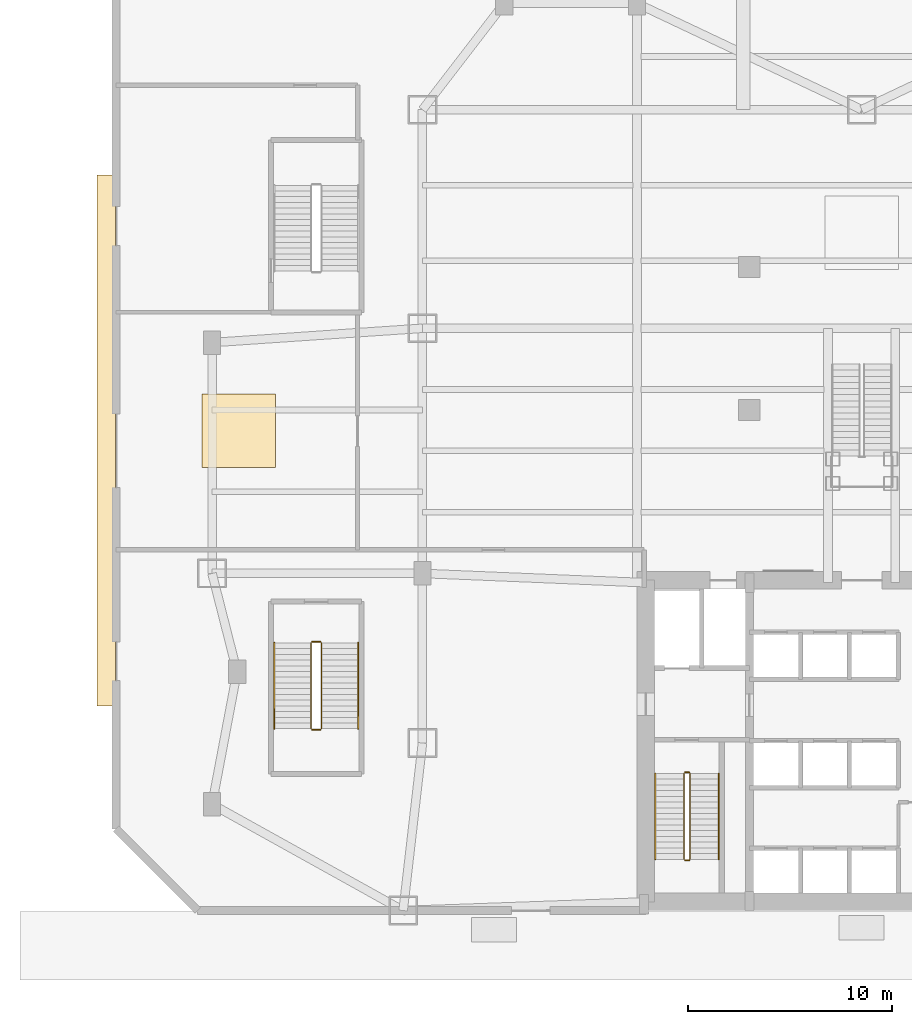
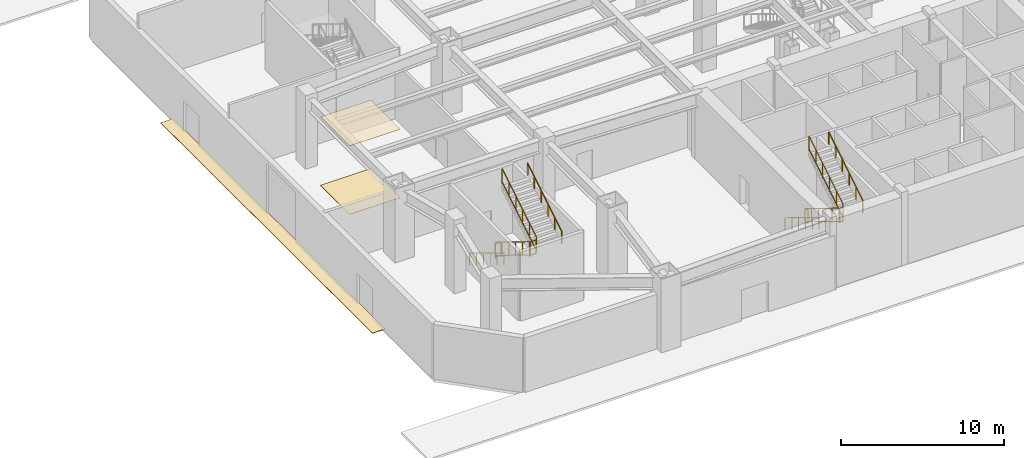
# One storey, part 9 of 11: 12 railings, 3 coverings.
"""IFC4 building model written with IfcOpenShell, lengths in metres."""

from ifc_helpers import new_model, si_unit, direction, frame, origin, origin_2d, place, context, subcontext, project, spatial, rectangle, extrude, source, transform, mapped, material, layer, layer_set, type_object, type_shapes, element, save


model = new_model("IFC4")

# Units and contexts
model_context = context("Model", 3, precision=1e-05, world=origin(), true_north=direction((0.0, 1.0)))
body_context = subcontext(model_context, "Body", "Model", "MODEL_VIEW")
ifc_project = project(units=[si_unit("LENGTHUNIT", "METRE"), si_unit("AREAUNIT", "SQUARE_METRE"), si_unit("VOLUMEUNIT", "CUBIC_METRE"), si_unit("PLANEANGLEUNIT", "RADIAN"), si_unit("MASSUNIT", "GRAM", prefix="KILO")], contexts=[model_context])

# Site, building, storey
site_placement = place(None, origin())
site = spatial("IfcSite", under=ifc_project, at=site_placement, CompositionType="ELEMENT")
building_placement = place(site_placement, origin())
building = spatial("IfcBuilding", under=site, at=building_placement, Name="Varnakhor Terracotta Tower", CompositionType="ELEMENT")
storey_placement = place(building_placement, origin())
storey = spatial("IfcBuildingStorey", under=building, at=storey_placement, Name="L00", CompositionType="ELEMENT", Elevation=0.0)

# Railings
ifc_material_1 = material(Name="Painted Steel Stairwell Guardrail", Category="steel")
railing_type_1 = type_object("IfcRailingType", Name="RLG-STAIR-GUARD-1120", PredefinedType="GUARDRAIL", material=ifc_material_1)
railing_1_placement = place(storey_placement, frame((-8.699951171875, 6.7099609375, 0.171875)))
element("IfcRailing", 1, at=railing_1_placement, inside=storey, type_object=railing_type_1, Name="L00 ST-1 stair guard 1", PredefinedType="GUARDRAIL", context=body_context, shape_type="SweptSolid", body=[
    extrude(rectangle(XDim=0.048095703125, YDim=0.048095703125, at=origin_2d()), frame((0.0, 0.0, 1.09619140625), z_axis=(0.0, -0.852242915053, 0.523146264196), x_axis=(1.0, 0.0, 0.0)), (0.0, 0.0, 1.0), 4.92822265625),
    extrude(rectangle(XDim=0.048095703125, YDim=0.048095703125, at=origin_2d()), frame((0.0, 0.0, 0.10009765625), z_axis=(0.0, -0.852242915053, 0.523146264196), x_axis=(1.0, 0.0, 0.0)), (0.0, 0.0, 1.0), 4.92822265625),
    extrude(rectangle(XDim=0.0419921875, YDim=0.0419921875, at=origin_2d()), origin(), (0.0, 0.0, 1.0), 1.072021484375),
    extrude(rectangle(XDim=0.0419921875, YDim=0.0419921875, at=origin_2d()), frame((0.0, -0.840087890625, 0.515625)), (0.0, 0.0, 1.0), 1.072021484375),
    extrude(rectangle(XDim=0.0419921875, YDim=0.0419921875, at=origin_2d()), frame((0.0, -1.679931640625, 1.03125)), (0.0, 0.0, 1.0), 1.072021484375),
    extrude(rectangle(XDim=0.0419921875, YDim=0.0419921875, at=origin_2d()), frame((0.0, -2.52001953125, 1.546875)), (0.0, 0.0, 1.0), 1.072021484375),
    extrude(rectangle(XDim=0.0419921875, YDim=0.0419921875, at=origin_2d()), frame((0.0, -3.35986328125, 2.0625)), (0.0, 0.0, 1.0), 1.072021484375),
    extrude(rectangle(XDim=0.0419921875, YDim=0.0419921875, at=origin_2d()), frame((0.0, -4.199951171875, 2.578125)), (0.0, 0.0, 1.0), 1.072021484375),
])
railing_2_placement = place(storey_placement, frame((-8.64990234375, 2.4599609375, 2.75)))
element("IfcRailing", 2, at=railing_2_placement, inside=storey, type_object=railing_type_1, Name="L00 ST-1 stair guard 2", PredefinedType="GUARDRAIL", context=body_context, shape_type="SweptSolid", body=[
    extrude(rectangle(XDim=0.048095703125, YDim=0.048095703125, at=origin_2d()), frame((0.0, 0.0, 1.09619140625), z_axis=(1.0, 0.0, 0.0), x_axis=(0.0, 1.0, 0.0)), (0.0, 0.0, 1.0), 0.199951171875),
    extrude(rectangle(XDim=0.048095703125, YDim=0.048095703125, at=origin_2d()), frame((0.0, 0.0, 0.10009765625), z_axis=(1.0, 0.0, 0.0), x_axis=(0.0, 1.0, 0.0)), (0.0, 0.0, 1.0), 0.199951171875),
    extrude(rectangle(XDim=0.0419921875, YDim=0.0419921875, at=origin_2d()), origin(), (0.0, 0.0, 1.0), 1.072021484375),
    extrude(rectangle(XDim=0.0419921875, YDim=0.0419921875, at=origin_2d()), frame((0.199951171875, 0.0, 0.0)), (0.0, 0.0, 1.0), 1.072021484375),
])
railing_3_placement = place(storey_placement, frame((-8.39990234375, 2.510009765625, 2.921875)))
element("IfcRailing", 3, at=railing_3_placement, inside=storey, type_object=railing_type_1, Name="L00 ST-1 stair guard 3", PredefinedType="GUARDRAIL", context=body_context, shape_type="SweptSolid", body=[
    extrude(rectangle(XDim=0.048095703125, YDim=0.048095703125, at=origin_2d()), frame((0.0, 0.0, 1.09619140625), z_axis=(0.0, 0.852242915053, 0.523146264196), x_axis=(-1.0, 0.0, 0.0)), (0.0, 0.0, 1.0), 4.92822265625),
    extrude(rectangle(XDim=0.048095703125, YDim=0.048095703125, at=origin_2d()), frame((0.0, 0.0, 0.10009765625), z_axis=(0.0, 0.852242915053, 0.523146264196), x_axis=(-1.0, 0.0, 0.0)), (0.0, 0.0, 1.0), 4.92822265625),
    extrude(rectangle(XDim=0.0419921875, YDim=0.0419921875, at=origin_2d()), origin(), (0.0, 0.0, 1.0), 1.072021484375),
    extrude(rectangle(XDim=0.0419921875, YDim=0.0419921875, at=origin_2d()), frame((0.0, 0.840087890625, 0.515625)), (0.0, 0.0, 1.0), 1.072021484375),
    extrude(rectangle(XDim=0.0419921875, YDim=0.0419921875, at=origin_2d()), frame((0.0, 1.679931640625, 1.03125)), (0.0, 0.0, 1.0), 1.072021484375),
    extrude(rectangle(XDim=0.0419921875, YDim=0.0419921875, at=origin_2d()), frame((0.0, 2.52001953125, 1.546875)), (0.0, 0.0, 1.0), 1.072021484375),
    extrude(rectangle(XDim=0.0419921875, YDim=0.0419921875, at=origin_2d()), frame((0.0, 3.35986328125, 2.0625)), (0.0, 0.0, 1.0), 1.072021484375),
    extrude(rectangle(XDim=0.0419921875, YDim=0.0419921875, at=origin_2d()), frame((0.0, 4.199951171875, 2.578125)), (0.0, 0.0, 1.0), 1.072021484375),
])
railing_4_placement = place(storey_placement, frame((-8.64990234375, 6.760009765625, 0.0)))
element("IfcRailing", 4, at=railing_4_placement, inside=storey, type_object=railing_type_1, Name="L00 ST-1 stair guard 4", PredefinedType="GUARDRAIL", context=body_context, shape_type="SweptSolid", body=[
    extrude(rectangle(XDim=0.048095703125, YDim=0.048095703125, at=origin_2d()), frame((0.0, 0.0, 1.09619140625), z_axis=(1.0, 0.0, 0.0), x_axis=(0.0, 1.0, 0.0)), (0.0, 0.0, 1.0), 0.199951171875),
    extrude(rectangle(XDim=0.048095703125, YDim=0.048095703125, at=origin_2d()), frame((0.0, 0.0, 0.10009765625), z_axis=(1.0, 0.0, 0.0), x_axis=(0.0, 1.0, 0.0)), (0.0, 0.0, 1.0), 0.199951171875),
    extrude(rectangle(XDim=0.0419921875, YDim=0.0419921875, at=origin_2d()), origin(), (0.0, 0.0, 1.0), 1.072021484375),
    extrude(rectangle(XDim=0.0419921875, YDim=0.0419921875, at=origin_2d()), frame((0.199951171875, 0.0, 0.0)), (0.0, 0.0, 1.0), 1.072021484375),
])
railing_5_placement = place(storey_placement, frame((-26.949951171875, 13.10009765625, 0.171875)))
element("IfcRailing", 5, at=railing_5_placement, inside=storey, type_object=railing_type_1, Name="L00 ST-P1 stair guard 1", PredefinedType="GUARDRAIL", context=body_context, shape_type="SweptSolid", body=[
    extrude(rectangle(XDim=0.048095703125, YDim=0.048095703125, at=origin_2d()), frame((0.0, 0.0, 1.09619140625), z_axis=(0.0, -0.852256472501, 0.523124177495), x_axis=(1.0, 0.0, 0.0)), (0.0, 0.0, 1.0), 4.92822265625),
    extrude(rectangle(XDim=0.048095703125, YDim=0.048095703125, at=origin_2d()), frame((0.0, 0.0, 0.10009765625), z_axis=(0.0, -0.852256472501, 0.523124177495), x_axis=(1.0, 0.0, 0.0)), (0.0, 0.0, 1.0), 4.92822265625),
    extrude(rectangle(XDim=0.0419921875, YDim=0.0419921875, at=origin_2d()), origin(), (0.0, 0.0, 1.0), 1.072021484375),
    extrude(rectangle(XDim=0.0419921875, YDim=0.0419921875, at=origin_2d()), frame((0.0, -0.840087890625, 0.515625)), (0.0, 0.0, 1.0), 1.072021484375),
    extrude(rectangle(XDim=0.0419921875, YDim=0.0419921875, at=origin_2d()), frame((0.0, -1.68017578125, 1.03125)), (0.0, 0.0, 1.0), 1.072021484375),
    extrude(rectangle(XDim=0.0419921875, YDim=0.0419921875, at=origin_2d()), frame((0.0, -2.52001953125, 1.546875)), (0.0, 0.0, 1.0), 1.072021484375),
    extrude(rectangle(XDim=0.0419921875, YDim=0.0419921875, at=origin_2d()), frame((0.0, -3.360107421875, 2.0625)), (0.0, 0.0, 1.0), 1.072021484375),
    extrude(rectangle(XDim=0.0419921875, YDim=0.0419921875, at=origin_2d()), frame((0.0, -4.2001953125, 2.578125)), (0.0, 0.0, 1.0), 1.072021484375),
])
railing_6_placement = place(storey_placement, frame((-26.89990234375, 8.85009765625, 2.75)))
element("IfcRailing", 6, at=railing_6_placement, inside=storey, type_object=railing_type_1, Name="L00 ST-P1 stair guard 2", PredefinedType="GUARDRAIL", context=body_context, shape_type="SweptSolid", body=[
    extrude(rectangle(XDim=0.048095703125, YDim=0.048095703125, at=origin_2d()), frame((0.0, 0.0, 1.09619140625), z_axis=(1.0, 0.0, 0.0), x_axis=(0.0, 1.0, 0.0)), (0.0, 0.0, 1.0), 0.39990234375),
    extrude(rectangle(XDim=0.048095703125, YDim=0.048095703125, at=origin_2d()), frame((0.0, 0.0, 0.10009765625), z_axis=(1.0, 0.0, 0.0), x_axis=(0.0, 1.0, 0.0)), (0.0, 0.0, 1.0), 0.39990234375),
    extrude(rectangle(XDim=0.0419921875, YDim=0.0419921875, at=origin_2d()), origin(), (0.0, 0.0, 1.0), 1.072021484375),
    extrude(rectangle(XDim=0.0419921875, YDim=0.0419921875, at=origin_2d()), frame((0.39990234375, 0.0, 0.0)), (0.0, 0.0, 1.0), 1.072021484375),
])
railing_7_placement = place(storey_placement, frame((-26.449951171875, 8.89990234375, 2.921875)))
element("IfcRailing", 7, at=railing_7_placement, inside=storey, type_object=railing_type_1, Name="L00 ST-P1 stair guard 3", PredefinedType="GUARDRAIL", context=body_context, shape_type="SweptSolid", body=[
    extrude(rectangle(XDim=0.048095703125, YDim=0.048095703125, at=origin_2d()), frame((0.0, 0.0, 1.09619140625), z_axis=(0.0, 0.852256472501, 0.523124177495), x_axis=(-1.0, 0.0, 0.0)), (0.0, 0.0, 1.0), 4.92822265625),
    extrude(rectangle(XDim=0.048095703125, YDim=0.048095703125, at=origin_2d()), frame((0.0, 0.0, 0.10009765625), z_axis=(0.0, 0.852256472501, 0.523124177495), x_axis=(-1.0, 0.0, 0.0)), (0.0, 0.0, 1.0), 4.92822265625),
    extrude(rectangle(XDim=0.0419921875, YDim=0.0419921875, at=origin_2d()), origin(), (0.0, 0.0, 1.0), 1.072021484375),
    extrude(rectangle(XDim=0.0419921875, YDim=0.0419921875, at=origin_2d()), frame((0.0, 0.840087890625, 0.515625)), (0.0, 0.0, 1.0), 1.072021484375),
    extrude(rectangle(XDim=0.0419921875, YDim=0.0419921875, at=origin_2d()), frame((0.0, 1.68017578125, 1.03125)), (0.0, 0.0, 1.0), 1.072021484375),
    extrude(rectangle(XDim=0.0419921875, YDim=0.0419921875, at=origin_2d()), frame((0.0, 2.52001953125, 1.546875)), (0.0, 0.0, 1.0), 1.072021484375),
    extrude(rectangle(XDim=0.0419921875, YDim=0.0419921875, at=origin_2d()), frame((0.0, 3.360107421875, 2.0625)), (0.0, 0.0, 1.0), 1.072021484375),
    extrude(rectangle(XDim=0.0419921875, YDim=0.0419921875, at=origin_2d()), frame((0.0, 4.2001953125, 2.578125)), (0.0, 0.0, 1.0), 1.072021484375),
])
railing_8_placement = place(storey_placement, frame((-26.89990234375, 13.14990234375, 0.0)))
element("IfcRailing", 8, at=railing_8_placement, inside=storey, type_object=railing_type_1, Name="L00 ST-P1 stair guard 4", PredefinedType="GUARDRAIL", context=body_context, shape_type="SweptSolid", body=[
    extrude(rectangle(XDim=0.048095703125, YDim=0.048095703125, at=origin_2d()), frame((0.0, 0.0, 1.09619140625), z_axis=(1.0, 0.0, 0.0), x_axis=(0.0, 1.0, 0.0)), (0.0, 0.0, 1.0), 0.39990234375),
    extrude(rectangle(XDim=0.048095703125, YDim=0.048095703125, at=origin_2d()), frame((0.0, 0.0, 0.10009765625), z_axis=(1.0, 0.0, 0.0), x_axis=(0.0, 1.0, 0.0)), (0.0, 0.0, 1.0), 0.39990234375),
    extrude(rectangle(XDim=0.0419921875, YDim=0.0419921875, at=origin_2d()), origin(), (0.0, 0.0, 1.0), 1.072021484375),
    extrude(rectangle(XDim=0.0419921875, YDim=0.0419921875, at=origin_2d()), frame((0.39990234375, 0.0, 0.0)), (0.0, 0.0, 1.0), 1.072021484375),
])
ifc_material_2 = material(Name="Brushed Stainless Steel Handrail", Category="steel")
railing_type_2 = type_object("IfcRailingType", Name="RLG-STAIR-HANDRAIL-920", PredefinedType="HANDRAIL", material=ifc_material_2)
railing_9_placement = place(storey_placement, frame((-10.10009765625, 6.7099609375, 0.171875)))
element("IfcRailing", 9, at=railing_9_placement, inside=storey, type_object=railing_type_2, Name="L00 ST-1 stair handrail 1", PredefinedType="HANDRAIL", context=body_context, shape_type="SweptSolid", body=[
    extrude(rectangle(XDim=0.048095703125, YDim=0.048095703125, at=origin_2d()), frame((0.0, 0.0, 0.89599609375), z_axis=(0.0, -0.852242915053, 0.523146264196), x_axis=(1.0, 0.0, 0.0)), (0.0, 0.0, 1.0), 4.92822265625),
    extrude(rectangle(XDim=0.0419921875, YDim=0.0419921875, at=origin_2d()), origin(), (0.0, 0.0, 1.0), 0.871826171875),
    extrude(rectangle(XDim=0.0419921875, YDim=0.0419921875, at=origin_2d()), frame((0.0, -0.840087890625, 0.515625)), (0.0, 0.0, 1.0), 0.871826171875),
    extrude(rectangle(XDim=0.0419921875, YDim=0.0419921875, at=origin_2d()), frame((0.0, -1.679931640625, 1.03125)), (0.0, 0.0, 1.0), 0.871826171875),
    extrude(rectangle(XDim=0.0419921875, YDim=0.0419921875, at=origin_2d()), frame((0.0, -2.52001953125, 1.546875)), (0.0, 0.0, 1.0), 0.871826171875),
    extrude(rectangle(XDim=0.0419921875, YDim=0.0419921875, at=origin_2d()), frame((0.0, -3.35986328125, 2.0625)), (0.0, 0.0, 1.0), 0.871826171875),
    extrude(rectangle(XDim=0.0419921875, YDim=0.0419921875, at=origin_2d()), frame((0.0, -4.199951171875, 2.578125)), (0.0, 0.0, 1.0), 0.871826171875),
])
railing_10_placement = place(storey_placement, frame((-7.0, 2.510009765625, 2.921875)))
element("IfcRailing", 10, at=railing_10_placement, inside=storey, type_object=railing_type_2, Name="L00 ST-1 stair handrail 2", PredefinedType="HANDRAIL", context=body_context, shape_type="SweptSolid", body=[
    extrude(rectangle(XDim=0.048095703125, YDim=0.048095703125, at=origin_2d()), frame((0.0, 0.0, 0.89599609375), z_axis=(0.0, 0.852242915053, 0.523146264196), x_axis=(-1.0, 0.0, 0.0)), (0.0, 0.0, 1.0), 4.92822265625),
    extrude(rectangle(XDim=0.0419921875, YDim=0.0419921875, at=origin_2d()), origin(), (0.0, 0.0, 1.0), 0.871826171875),
    extrude(rectangle(XDim=0.0419921875, YDim=0.0419921875, at=origin_2d()), frame((0.0, 0.840087890625, 0.515625)), (0.0, 0.0, 1.0), 0.871826171875),
    extrude(rectangle(XDim=0.0419921875, YDim=0.0419921875, at=origin_2d()), frame((0.0, 1.679931640625, 1.03125)), (0.0, 0.0, 1.0), 0.871826171875),
    extrude(rectangle(XDim=0.0419921875, YDim=0.0419921875, at=origin_2d()), frame((0.0, 2.52001953125, 1.546875)), (0.0, 0.0, 1.0), 0.871826171875),
    extrude(rectangle(XDim=0.0419921875, YDim=0.0419921875, at=origin_2d()), frame((0.0, 3.35986328125, 2.0625)), (0.0, 0.0, 1.0), 0.871826171875),
    extrude(rectangle(XDim=0.0419921875, YDim=0.0419921875, at=origin_2d()), frame((0.0, 4.199951171875, 2.578125)), (0.0, 0.0, 1.0), 0.871826171875),
])
railing_11_placement = place(storey_placement, frame((-28.75, 13.10009765625, 0.171875)))
element("IfcRailing", 11, at=railing_11_placement, inside=storey, type_object=railing_type_2, Name="L00 ST-P1 stair handrail 1", PredefinedType="HANDRAIL", context=body_context, shape_type="SweptSolid", body=[
    extrude(rectangle(XDim=0.048095703125, YDim=0.048095703125, at=origin_2d()), frame((0.0, 0.0, 0.89599609375), z_axis=(0.0, -0.852256472501, 0.523124177495), x_axis=(1.0, 0.0, 0.0)), (0.0, 0.0, 1.0), 4.92822265625),
    extrude(rectangle(XDim=0.0419921875, YDim=0.0419921875, at=origin_2d()), origin(), (0.0, 0.0, 1.0), 0.871826171875),
    extrude(rectangle(XDim=0.0419921875, YDim=0.0419921875, at=origin_2d()), frame((0.0, -0.840087890625, 0.515625)), (0.0, 0.0, 1.0), 0.871826171875),
    extrude(rectangle(XDim=0.0419921875, YDim=0.0419921875, at=origin_2d()), frame((0.0, -1.68017578125, 1.03125)), (0.0, 0.0, 1.0), 0.871826171875),
    extrude(rectangle(XDim=0.0419921875, YDim=0.0419921875, at=origin_2d()), frame((0.0, -2.52001953125, 1.546875)), (0.0, 0.0, 1.0), 0.871826171875),
    extrude(rectangle(XDim=0.0419921875, YDim=0.0419921875, at=origin_2d()), frame((0.0, -3.360107421875, 2.0625)), (0.0, 0.0, 1.0), 0.871826171875),
    extrude(rectangle(XDim=0.0419921875, YDim=0.0419921875, at=origin_2d()), frame((0.0, -4.2001953125, 2.578125)), (0.0, 0.0, 1.0), 0.871826171875),
])
railing_12_placement = place(storey_placement, frame((-24.64990234375, 8.89990234375, 2.921875)))
element("IfcRailing", 12, at=railing_12_placement, inside=storey, type_object=railing_type_2, Name="L00 ST-P1 stair handrail 2", PredefinedType="HANDRAIL", context=body_context, shape_type="SweptSolid", body=[
    extrude(rectangle(XDim=0.048095703125, YDim=0.048095703125, at=origin_2d()), frame((0.0, 0.0, 0.89599609375), z_axis=(0.0, 0.852256472501, 0.523124177495), x_axis=(-1.0, 0.0, 0.0)), (0.0, 0.0, 1.0), 4.92822265625),
    extrude(rectangle(XDim=0.0419921875, YDim=0.0419921875, at=origin_2d()), origin(), (0.0, 0.0, 1.0), 0.871826171875),
    extrude(rectangle(XDim=0.0419921875, YDim=0.0419921875, at=origin_2d()), frame((0.0, 0.840087890625, 0.515625)), (0.0, 0.0, 1.0), 0.871826171875),
    extrude(rectangle(XDim=0.0419921875, YDim=0.0419921875, at=origin_2d()), frame((0.0, 1.68017578125, 1.03125)), (0.0, 0.0, 1.0), 0.871826171875),
    extrude(rectangle(XDim=0.0419921875, YDim=0.0419921875, at=origin_2d()), frame((0.0, 2.52001953125, 1.546875)), (0.0, 0.0, 1.0), 0.871826171875),
    extrude(rectangle(XDim=0.0419921875, YDim=0.0419921875, at=origin_2d()), frame((0.0, 3.360107421875, 2.0625)), (0.0, 0.0, 1.0), 0.871826171875),
    extrude(rectangle(XDim=0.0419921875, YDim=0.0419921875, at=origin_2d()), frame((0.0, 4.2001953125, 2.578125)), (0.0, 0.0, 1.0), 0.871826171875),
])

# Coverings
ifc_material_3 = material(Name="Honed Riyadh Limestone Flooring", Category="masonry")
ifc_layer_1 = layer(ifc_material_3, 0.030029296875, Name="Honed Riyadh Limestone Flooring")
ifc_layer_set_1 = layer_set([ifc_layer_1], Name="Honed Riyadh Limestone Flooring")
covering_type_1 = type_object("IfcCoveringType", Name="COV-FLOOR-LIMESTONE", PredefinedType="FLOORING", material=ifc_layer_set_1)
shared_shape_1 = source(origin(), body_context, "Body", "SweptSolid", [
    extrude(rectangle(XDim=0.89990234375, YDim=26.0, at=origin_2d()), origin(), (0.0, 0.0, 1.0), 0.0400390625),
])
type_shapes(covering_type_1, [shared_shape_1])
covering_1_placement = place(storey_placement, frame((-36.97998046875, 23.0, -0.0400390625), z_axis=(0.0, 0.0, 1.0), x_axis=(1.0, 0.0, 0.0)))
element("IfcCovering", 13, at=covering_1_placement, inside=storey, type_object=covering_type_1, Name="L00 Entrance Threshold Stone Paving WEST", PredefinedType="FLOORING", context=body_context, shape_type="MappedRepresentation", body=[
    mapped(shared_shape_1, transform((0.0, 0.0, 0.0), scale=1.0)),
])
shared_shape_2 = source(origin(), body_context, "Body", "SweptSolid", [
    extrude(rectangle(XDim=3.60009765625, YDim=3.60009765625, at=origin_2d()), origin(), (0.0, 0.0, 1.0), 0.02001953125),
])
covering_2_placement = place(storey_placement, frame((-30.4990234375, 23.47412109375, 0.0), z_axis=(0.0, 0.0, 1.0), x_axis=(1.0, 0.0, 0.0)))
element("IfcCovering", 14, at=covering_2_placement, inside=storey, type_object=covering_type_1, Name="L00 Honed Stone Flooring 2", PredefinedType="FLOORING", context=body_context, shape_type="MappedRepresentation", body=[
    mapped(shared_shape_2, transform((0.0, 0.0, 0.0), scale=1.0)),
])
ifc_material_4 = material(Name="Perforated Acoustic Mineral-Fibre Ceiling", Category="gypsum")
ifc_layer_2 = layer(ifc_material_4, 0.02490234375, Name="Perforated Acoustic Mineral-Fibre Ceiling")
ifc_layer_set_2 = layer_set([ifc_layer_2], Name="Perforated Acoustic Mineral-Fibre Ceiling")
covering_type_2 = type_object("IfcCoveringType", Name="COV-CEILING-ACOUSTIC", PredefinedType="CEILING", material=ifc_layer_set_2)
shared_shape_3 = source(origin(), body_context, "Body", "SweptSolid", [
    extrude(rectangle(XDim=3.60009765625, YDim=3.60009765625, at=origin_2d()), origin(), (0.0, 0.0, 1.0), 0.02392578125),
])
covering_3_placement = place(storey_placement, frame((-30.4990234375, 23.47412109375, 5.1259765625), z_axis=(0.0, 0.0, 1.0), x_axis=(1.0, 0.0, 0.0)))
element("IfcCovering", 15, at=covering_3_placement, inside=storey, type_object=covering_type_2, Name="L00 Acoustic Ceiling Panel 2", PredefinedType="CEILING", context=body_context, shape_type="MappedRepresentation", body=[
    mapped(shared_shape_3, transform((0.0, 0.0, 0.0), scale=1.0)),
])

save(model, "model.ifc")
